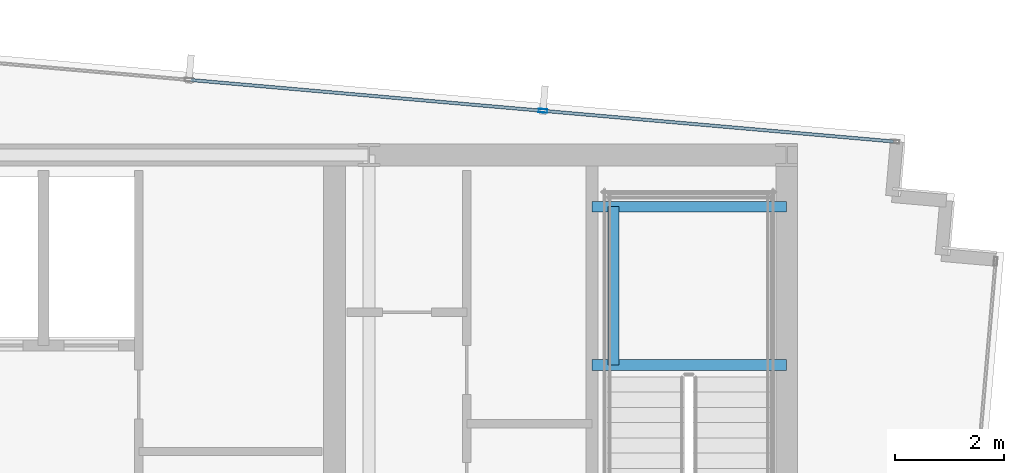
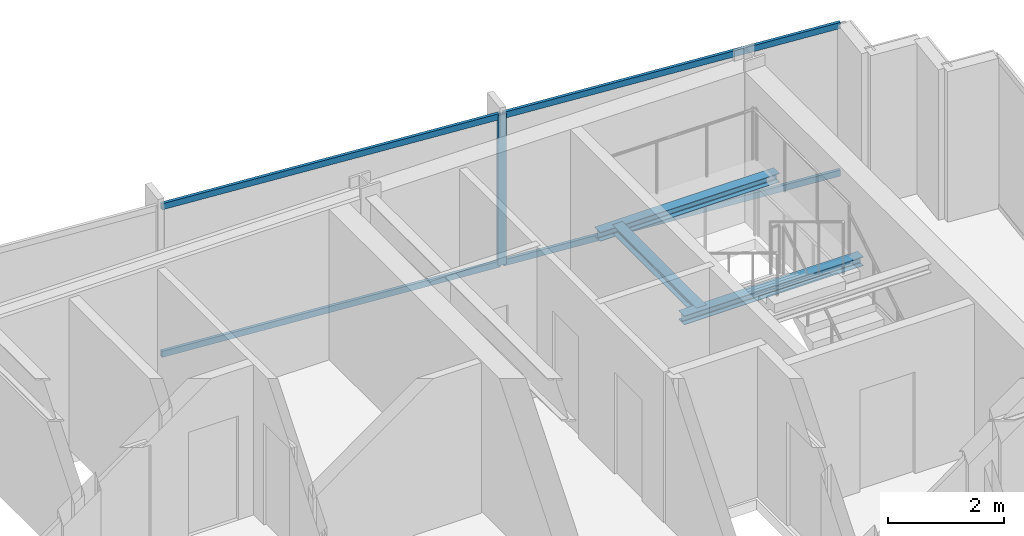
# One storey, part 20 of 32: 5 members, 3 beams, 1 element without a shape of its own.
"""IFC4 building model written with IfcOpenShell, lengths in metres."""

from ifc_helpers import new_model, si_unit, direction, frame, origin, origin_2d, place, context, subcontext, project, spatial, hollow_rectangle, i_section, extrude, material, material_profile, profile_set, type_object, element, aggregate, save


model = new_model("IFC4")

# Units and contexts
model_context = context("Model", 3, precision=1e-05, world=origin(), true_north=direction((0.0, 1.0)))
body_context = subcontext(model_context, "Body", "Model", "MODEL_VIEW")
ifc_project = project(units=[si_unit("LENGTHUNIT", "METRE"), si_unit("AREAUNIT", "SQUARE_METRE"), si_unit("VOLUMEUNIT", "CUBIC_METRE"), si_unit("PLANEANGLEUNIT", "RADIAN"), si_unit("MASSUNIT", "GRAM", prefix="KILO")], contexts=[model_context])

# Site, building, storey
site_placement = place(None, origin())
site = spatial("IfcSite", under=ifc_project, at=site_placement, CompositionType="ELEMENT")
building_placement = place(site_placement, origin())
building = spatial("IfcBuilding", under=site, at=building_placement, Name="Yelkora Congress Tower", CompositionType="ELEMENT")
storey_placement = place(building_placement, frame((0.0, 0.0, 262.5)))
storey = spatial("IfcBuildingStorey", under=building, at=storey_placement, Name="L73", CompositionType="ELEMENT", Elevation=262.5)

# Beams
ifc_material_1 = material(Name="Steel S355J2", Category="steel")
ifc_material_profile_1 = material_profile(ifc_material_1, i_section(OverallWidth=0.199951171875, OverallDepth=0.18994140625, WebThickness=0.006591796875, FlangeThickness=0.010009765625, FilletRadius=0.01806640625, at=origin_2d()), Name="HEA 200")
ifc_profile_set_1 = profile_set([ifc_material_profile_1], Name="Steel S355J2")
beam_type = type_object("IfcBeamType", Name="BM-LAND-HEA200", PredefinedType="BEAM", material=ifc_profile_set_1)
for number, where, z_axis, x_axis, name in (
    (1, (50.179931640625, 42.340087890625, 1.384521484375), (1.0, 0.0, 0.0), (0.0, 1.0, 0.0), "ST-02 L73 Landing Header Beam 1S"),
    (2, (50.179931640625, 45.25, 1.384521484375), (1.0, 0.0, 0.0), (0.0, 1.0, 0.0), "ST-02 L73 Landing Header Beam 1N"),
):
    element("IfcBeam", number, at=place(storey_placement, frame(where, z_axis=z_axis, x_axis=x_axis)), inside=storey, type_object=beam_type, Name=name, PredefinedType="BEAM", context=body_context, shape_type="SweptSolid", body=[
        extrude(i_section(OverallWidth=0.199951171875, OverallDepth=0.18994140625, WebThickness=0.006591796875, FlangeThickness=0.010009765625, FilletRadius=0.01806640625, at=origin_2d()), origin(), (0.0, 0.0, 1.0), 3.580078125),
    ])
beam_placement = place(storey_placement, frame((50.580078125, 42.340087890625, 1.384521484375), z_axis=(0.0, 1.0, 0.0), x_axis=(-1.0, 0.0, 0.0)))
element("IfcBeam", 3, at=beam_placement, inside=storey, type_object=beam_type, Name="ST-02 L73 Landing Trimmer Beam 1M", PredefinedType="BEAM", context=body_context, shape_type="SweptSolid", body=[
    extrude(i_section(OverallWidth=0.199951171875, OverallDepth=0.18994140625, WebThickness=0.006591796875, FlangeThickness=0.010009765625, FilletRadius=0.01806640625, at=origin_2d()), origin(), (0.0, 0.0, 1.0), 2.909912109375),
])

# Curtain wall, members
ifc_material_2 = material(Name="Anodised aluminium and insulated glass", Category="aluminium")
curtain_wall_type = type_object("IfcCurtainWallType", Name="CW-SYS-B5", PredefinedType="NOTDEFINED", material=ifc_material_2)
curtain_wall_placement = place(storey_placement, origin())
curtain_wall = element("IfcCurtainWall", 4, at=curtain_wall_placement, inside=storey, type_object=curtain_wall_type, Name="L73 Unitised Curtain Wall 10", PredefinedType="NOTDEFINED")
ifc_material_3 = material(Name="Anodised aluminium 6063-T6", Category="aluminium")
ifc_material_profile_2 = material_profile(ifc_material_3, hollow_rectangle(XDim=0.06494140625, YDim=0.159912109375, WallThickness=0.00390625, at=origin_2d()), Name="ALU 65x160x4")
ifc_profile_set_2 = profile_set([ifc_material_profile_2], Name="Anodised aluminium 6063-T6")
member_type_1 = type_object("IfcMemberType", Name="MEM-ML-B5", PredefinedType="MULLION", material=ifc_profile_set_2)
member_1_placement = place(storey_placement, frame((49.279541015625, 47.01220703125, 0.0), z_axis=(0.0, 0.0, 1.0), x_axis=(0.087156639893, 0.996194619601, 0.0)))
member_1 = element("IfcMember", 5, at=member_1_placement, type_object=member_type_1, Name="CW-B5 mullion 7", PredefinedType="MULLION", context=body_context, shape_type="SweptSolid", body=[
    extrude(hollow_rectangle(XDim=0.06494140625, YDim=0.159912109375, WallThickness=0.00390625, at=origin_2d()), origin(), (0.0, 0.0, 1.0), 3.179931640625),
])
ifc_material_profile_3 = material_profile(ifc_material_3, hollow_rectangle(XDim=0.06005859375, YDim=0.1298828125, WallThickness=0.00390625, at=origin_2d()), Name="ALU 60x130x4")
ifc_profile_set_3 = profile_set([ifc_material_profile_3], Name="Anodised aluminium 6063-T6")
member_type_2 = type_object("IfcMemberType", Name="MEM-TR-B5", PredefinedType="USERDEFINED", material=ifc_profile_set_3)
member_2_placement = place(storey_placement, frame((42.80517578125, 47.57861328125, 0.030029296875), z_axis=(0.996196257862, -0.087137912649, 0.0), x_axis=(0.087137912649, 0.996196257862, 0.0)))
member_2 = element("IfcMember", 6, at=member_2_placement, type_object=member_type_2, Name="CW-B5 transom 6.1", ObjectType="TRANSOM", PredefinedType="USERDEFINED", context=body_context, shape_type="SweptSolid", body=[
    extrude(hollow_rectangle(XDim=0.06005859375, YDim=0.1298828125, WallThickness=0.00390625, at=origin_2d()), origin(), (0.0, 0.0, 1.0), 6.466552734375),
])
member_3_placement = place(storey_placement, frame((42.80517578125, 47.57861328125, 3.14990234375), z_axis=(0.996196257862, -0.087137912649, 0.0), x_axis=(0.087137912649, 0.996196257862, 0.0)))
member_3 = element("IfcMember", 7, at=member_3_placement, type_object=member_type_2, Name="CW-B5 transom 6.2", ObjectType="TRANSOM", PredefinedType="USERDEFINED", context=body_context, shape_type="SweptSolid", body=[
    extrude(hollow_rectangle(XDim=0.06005859375, YDim=0.1298828125, WallThickness=0.00390625, at=origin_2d()), origin(), (0.0, 0.0, 1.0), 6.466552734375),
])
member_4_placement = place(storey_placement, frame((49.311767578125, 47.009521484375, 0.030029296875), z_axis=(0.996194170551, -0.08716177236, 0.0), x_axis=(0.08716177236, 0.996194170551, 0.0)))
member_4 = element("IfcMember", 8, at=member_4_placement, type_object=member_type_2, Name="CW-B5 transom 7.1", ObjectType="TRANSOM", PredefinedType="USERDEFINED", context=body_context, shape_type="SweptSolid", body=[
    extrude(hollow_rectangle(XDim=0.06005859375, YDim=0.1298828125, WallThickness=0.00390625, at=origin_2d()), origin(), (0.0, 0.0, 1.0), 6.433837890625),
])
member_5_placement = place(storey_placement, frame((49.311767578125, 47.009521484375, 3.14990234375), z_axis=(0.996194170551, -0.08716177236, 0.0), x_axis=(0.08716177236, 0.996194170551, 0.0)))
member_5 = element("IfcMember", 9, at=member_5_placement, type_object=member_type_2, Name="CW-B5 transom 7.2", ObjectType="TRANSOM", PredefinedType="USERDEFINED", context=body_context, shape_type="SweptSolid", body=[
    extrude(hollow_rectangle(XDim=0.06005859375, YDim=0.1298828125, WallThickness=0.00390625, at=origin_2d()), origin(), (0.0, 0.0, 1.0), 6.433837890625),
])
aggregate(curtain_wall, [member_1, member_2, member_3, member_4, member_5])

save(model, "model.ifc")
